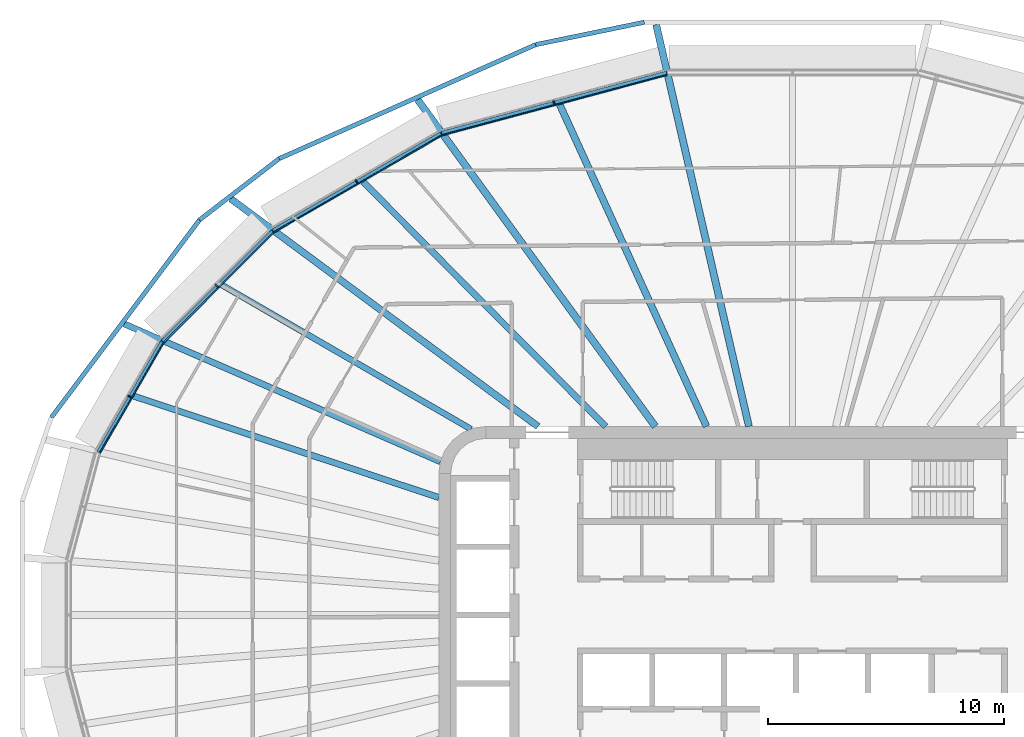
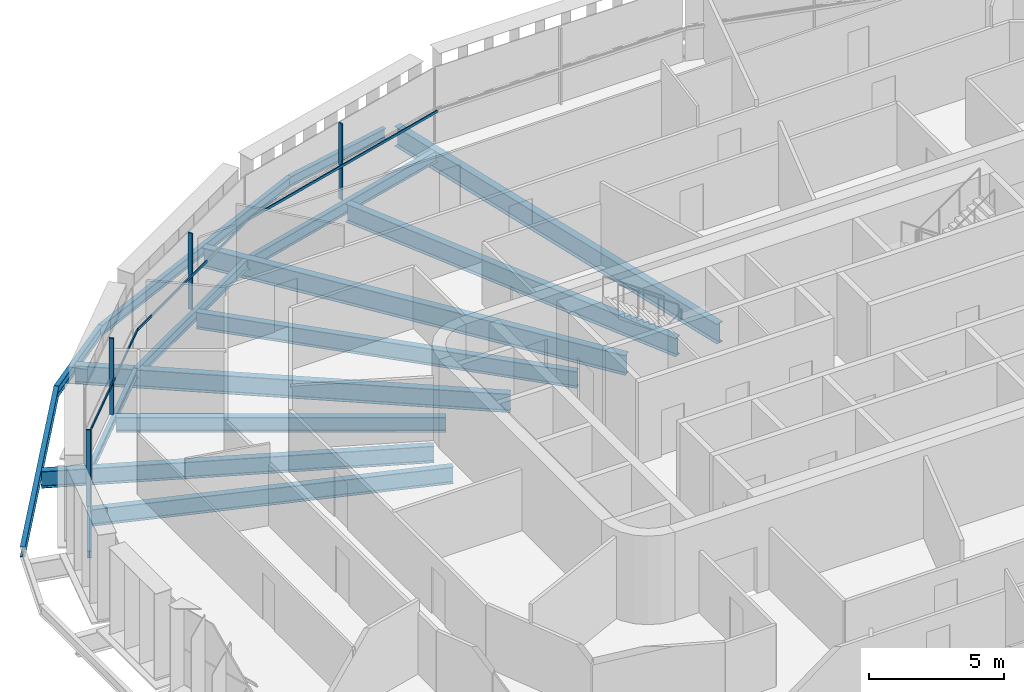
# One storey, part 5 of 21: 16 beams, 8 members, 4 elements without a shape of their own.
"""IFC4 building model written with IfcOpenShell, lengths in metres."""

from ifc_helpers import new_model, si_unit, direction, frame, origin, origin_2d, place, context, subcontext, project, spatial, rectangle, i_section, extrude, material, layer, layer_set, material_profile, profile_set, type_object, element, aggregate, save


model = new_model("IFC4")

# Units and contexts
model_context = context("Model", 3, precision=1e-05, world=origin(), true_north=direction((0.0, 1.0)))
body_context = subcontext(model_context, "Body", "Model", "MODEL_VIEW")
ifc_project = project(units=[si_unit("LENGTHUNIT", "METRE"), si_unit("AREAUNIT", "SQUARE_METRE"), si_unit("VOLUMEUNIT", "CUBIC_METRE"), si_unit("PLANEANGLEUNIT", "RADIAN"), si_unit("MASSUNIT", "GRAM", prefix="KILO")], contexts=[model_context])

# Site, building, storey
site_placement = place(None, origin())
site = spatial("IfcSite", under=ifc_project, at=site_placement, CompositionType="ELEMENT")
building_placement = place(site_placement, origin())
building = spatial("IfcBuilding", under=site, at=building_placement, Name="Sahrelin Media Tower", CompositionType="ELEMENT")
storey_placement = place(building_placement, frame((0.0, 0.0, 193.60009765625)))
storey = spatial("IfcBuildingStorey", under=building, at=storey_placement, Name="L41", CompositionType="ELEMENT", Elevation=193.60009765625)

# Beams
ifc_material_1 = material(Name="Steel S355", Category="steel")
ifc_material_profile_1 = material_profile(ifc_material_1, i_section(OverallWidth=0.1650390625, OverallDepth=0.303466796875, WebThickness=0.006103515625, FlangeThickness=0.01025390625, FilletRadius=0.0087890625, at=origin_2d()), Name="UB 305x165x40")
ifc_profile_set_1 = profile_set([ifc_material_profile_1], Name="Steel S355")
beam_type_1 = type_object("IfcBeamType", Name="Edge beam EB2", PredefinedType="BEAM", material=ifc_profile_set_1)
beam_1_placement = place(storey_placement, frame((-29.43408203125, 6.9072265625, -0.3017578125), z_axis=(0.500016705875, 0.866015758428, 0.0), x_axis=(-0.866015758428, 0.500016705875, 0.0)))
element("IfcBeam", 1, at=beam_1_placement, inside=storey, type_object=beam_type_1, Name="Edge beam L41-15", PredefinedType="BEAM", context=body_context, shape_type="SweptSolid", body=[
    extrude(i_section(OverallWidth=0.1650390625, OverallDepth=0.303466796875, WebThickness=0.006103515625, FlangeThickness=0.01025390625, FilletRadius=0.0087890625, at=origin_2d()), origin(), (0.0, 0.0, 1.0), 5.410400390625),
])
ifc_material_profile_2 = material_profile(ifc_material_1, i_section(OverallWidth=0.17138671875, OverallDepth=0.35498046875, WebThickness=0.00732421875, FlangeThickness=0.011474609375, FilletRadius=0.01025390625, at=origin_2d()), Name="UB 356x171x51")
ifc_profile_set_2 = profile_set([ifc_material_profile_2], Name="Steel S355")
beam_type_2 = type_object("IfcBeamType", Name="Edge beam EB3", PredefinedType="BEAM", material=ifc_profile_set_2)
beam_2_placement = place(storey_placement, frame((-26.711181640625, 11.61572265625, -0.32763671875), z_axis=(0.70708825429, 0.707125307597, 0.0), x_axis=(-0.707125307597, 0.70708825429, 0.0)))
element("IfcBeam", 2, at=beam_2_placement, inside=storey, type_object=beam_type_2, Name="Edge beam L41-16", PredefinedType="BEAM", context=body_context, shape_type="SweptSolid", body=[
    extrude(i_section(OverallWidth=0.17138671875, OverallDepth=0.35498046875, WebThickness=0.00732421875, FlangeThickness=0.011474609375, FilletRadius=0.01025390625, at=origin_2d()), origin(), (0.0, 0.0, 1.0), 6.5888671875),
])
ifc_material_profile_3 = material_profile(ifc_material_1, i_section(OverallWidth=0.1904296875, OverallDepth=0.45703125, WebThickness=0.009033203125, FlangeThickness=0.014404296875, FilletRadius=0.01025390625, at=origin_2d()), Name="UB 457x191x74")
ifc_profile_set_3 = profile_set([ifc_material_profile_3], Name="Steel S355")
beam_type_3 = type_object("IfcBeamType", Name="Edge beam EB5", PredefinedType="BEAM", material=ifc_profile_set_3)
beam_3_placement = place(storey_placement, frame((-22.029296875, 16.292236328125, -0.378662109375), z_axis=(0.8660092336, 0.500028006535, 0.0), x_axis=(-0.500028006535, 0.8660092336, 0.0)))
element("IfcBeam", 3, at=beam_3_placement, inside=storey, type_object=beam_type_3, Name="Edge beam L41-17", PredefinedType="BEAM", context=body_context, shape_type="SweptSolid", body=[
    extrude(i_section(OverallWidth=0.1904296875, OverallDepth=0.45703125, WebThickness=0.009033203125, FlangeThickness=0.014404296875, FilletRadius=0.01025390625, at=origin_2d()), origin(), (0.0, 0.0, 1.0), 8.23046875),
])
ifc_material_profile_4 = material_profile(ifc_material_1, i_section(OverallWidth=0.208740234375, OverallDepth=0.5283203125, WebThickness=0.009521484375, FlangeThickness=0.01318359375, FilletRadius=0.0126953125, at=origin_2d()), Name="UB 533x210x82")
ifc_profile_set_4 = profile_set([ifc_material_profile_4], Name="Steel S355")
beam_type_4 = type_object("IfcBeamType", Name="Edge beam EB6", PredefinedType="BEAM", material=ifc_profile_set_4)
beam_4_placement = place(storey_placement, frame((-14.875, 20.418701171875, -0.414306640625), z_axis=(0.965928634298, 0.258808565244, 0.0), x_axis=(-0.258808565244, 0.965928634298, 0.0)))
element("IfcBeam", 4, at=beam_4_placement, inside=storey, type_object=beam_type_4, Name="Edge beam L41-18", PredefinedType="BEAM", context=body_context, shape_type="SweptSolid", body=[
    extrude(i_section(OverallWidth=0.208740234375, OverallDepth=0.5283203125, WebThickness=0.009521484375, FlangeThickness=0.01318359375, FilletRadius=0.0126953125, at=origin_2d()), origin(), (0.0, 0.0, 1.0), 9.87744140625),
])

# Curtain wall, member
ifc_material_2 = material(Name="Champagne anodised aluminium 6063-T6", Category="aluminium")
ifc_layer = layer(ifc_material_2, 0.14990234375)
ifc_layer_set = layer_set([ifc_layer], Name="Tower ribbon curtain wall")
curtain_wall_type = type_object("IfcCurtainWallType", Name="Tower ribbon curtain wall", PredefinedType="NOTDEFINED", material=ifc_layer_set)
curtain_wall_1_placement = place(storey_placement, frame((-10.143310546875, 21.841796875, 0.0), z_axis=(0.0, 0.0, 1.0), x_axis=(1.0, 0.0, 0.0)))
curtain_wall_1 = element("IfcCurtainWall", 5, at=curtain_wall_1_placement, inside=storey, type_object=curtain_wall_type, Name="L41:CW:L41-07", PredefinedType="NOTDEFINED")
ifc_material_profile_5 = material_profile(ifc_material_2, rectangle(XDim=0.06005859375, YDim=0.175048828125, at=origin_2d()), Name="Mullion 60x175")
ifc_profile_set_5 = profile_set([ifc_material_profile_5], Name="Champagne anodised aluminium 6063-T6")
member_type_1 = type_object("IfcMemberType", Name="Mullion 60x175 CW1B", PredefinedType="MULLION", material=ifc_profile_set_5)
member_1_placement = place(storey_placement, frame((-10.115478515625, 21.73779296875, 0.0), z_axis=(0.0, 0.0, 1.0), x_axis=(-0.965924922834, -0.258822416818, 0.0)))
member_1 = element("IfcMember", 6, at=member_1_placement, type_object=member_type_1, Name="L41:CWM:L41-07", PredefinedType="MULLION", context=body_context, shape_type="SweptSolid", body=[
    extrude(rectangle(XDim=0.06005859375, YDim=0.175048828125, at=origin_2d()), origin(), (0.0, 0.0, 1.0), 3.448486328125),
])

curtain_wall_2_placement = place(storey_placement, frame((-18.540283203125, 18.479736328125, 0.0), z_axis=(0.0, 0.0, 1.0), x_axis=(1.0, 0.0, 0.0)))
curtain_wall_2 = element("IfcCurtainWall", 7, at=curtain_wall_2_placement, inside=storey, type_object=curtain_wall_type, Name="L41:CW:L41-08", PredefinedType="NOTDEFINED")
member_2_placement = place(storey_placement, frame((-18.48681640625, 18.38671875, 0.0), z_axis=(0.0, 0.0, 1.0), x_axis=(-0.86602365845, -0.500003022996, 0.0)))
member_2 = element("IfcMember", 8, at=member_2_placement, type_object=member_type_1, Name="L41:CWM:L41-08", PredefinedType="MULLION", context=body_context, shape_type="SweptSolid", body=[
    extrude(rectangle(XDim=0.06005859375, YDim=0.175048828125, at=origin_2d()), origin(), (0.0, 0.0, 1.0), 3.448486328125),
])

curtain_wall_3_placement = place(storey_placement, frame((-24.48779296875, 14.05126953125, 0.0), z_axis=(0.0, 0.0, 1.0), x_axis=(1.0, 0.0, 0.0)))
curtain_wall_3 = element("IfcCurtainWall", 9, at=curtain_wall_3_placement, inside=storey, type_object=curtain_wall_type, Name="L41:CW:L41-09", PredefinedType="NOTDEFINED")
member_3_placement = place(storey_placement, frame((-24.411865234375, 13.975341796875, 0.0), z_axis=(0.0, 0.0, 1.0), x_axis=(-0.707106781187, -0.707106781187, 0.0)))
member_3 = element("IfcMember", 10, at=member_3_placement, type_object=member_type_1, Name="L41:CWM:L41-09", PredefinedType="MULLION", context=body_context, shape_type="SweptSolid", body=[
    extrude(rectangle(XDim=0.06005859375, YDim=0.175048828125, at=origin_2d()), origin(), (0.0, 0.0, 1.0), 3.448486328125),
])

curtain_wall_4_placement = place(storey_placement, frame((-28.211181640625, 9.324951171875, 0.0), z_axis=(0.0, 0.0, 1.0), x_axis=(1.0, 0.0, 0.0)))
curtain_wall_4 = element("IfcCurtainWall", 11, at=curtain_wall_4_placement, inside=storey, type_object=curtain_wall_type, Name="L41:CW:L41-10", PredefinedType="NOTDEFINED")
member_4_placement = place(storey_placement, frame((-28.118408203125, 9.271240234375, 0.0), z_axis=(0.0, 0.0, 1.0), x_axis=(-0.499996976998, -0.866027149108, 0.0)))
member_4 = element("IfcMember", 12, at=member_4_placement, type_object=member_type_1, Name="L41:CWM:L41-10", PredefinedType="MULLION", context=body_context, shape_type="SweptSolid", body=[
    extrude(rectangle(XDim=0.06005859375, YDim=0.175048828125, at=origin_2d()), origin(), (0.0, 0.0, 1.0), 3.448486328125),
])

# Beams
ifc_material_profile_6 = material_profile(ifc_material_1, i_section(OverallWidth=0.291748046875, OverallDepth=0.8349609375, WebThickness=0.013916015625, FlangeThickness=0.018798828125, FilletRadius=0.017822265625, at=origin_2d()), Name="UB 838x292x176")
ifc_profile_set_6 = profile_set([ifc_material_profile_6], Name="Steel S355")
beam_type_5 = type_object("IfcBeamType", Name="Radial primary beam PB10", PredefinedType="BEAM", material=ifc_profile_set_6)
beam_5_placement = place(storey_placement, frame((-10.793701171875, 8.0, -0.567626953125), z_axis=(-0.803387610254, 0.595456419641, 0.0), x_axis=(-0.595456419641, -0.803387610254, 0.0)))
element("IfcBeam", 13, at=beam_5_placement, inside=storey, type_object=beam_type_5, Name="Radial beam L41-09", PredefinedType="BEAM", context=body_context, shape_type="SweptSolid", body=[
    extrude(i_section(OverallWidth=0.291748046875, OverallDepth=0.8349609375, WebThickness=0.013916015625, FlangeThickness=0.018798828125, FilletRadius=0.017822265625, at=origin_2d()), origin(), (0.0, 0.0, 1.0), 16.22314453125),
])
ifc_material_profile_7 = material_profile(ifc_material_1, i_section(OverallWidth=0.30322265625, OverallDepth=0.903076171875, WebThickness=0.01513671875, FlangeThickness=0.020263671875, FilletRadius=0.01904296875, at=origin_2d()), Name="UB 914x305x201")
ifc_profile_set_7 = profile_set([ifc_material_profile_7], Name="Steel S355")
beam_type_6 = type_object("IfcBeamType", Name="Radial primary beam PB11", PredefinedType="BEAM", material=ifc_profile_set_7)
beam_6_placement = place(storey_placement, frame((-1.846923828125, 8.0, -0.6015625), z_axis=(-0.224943059237, 0.974371910567, 0.0), x_axis=(-0.974371910567, -0.224943059237, 0.0)))
element("IfcBeam", 14, at=beam_6_placement, inside=storey, type_object=beam_type_6, Name="Radial beam L41-07", PredefinedType="BEAM", context=body_context, shape_type="SweptSolid", body=[
    extrude(i_section(OverallWidth=0.30322265625, OverallDepth=0.903076171875, WebThickness=0.01513671875, FlangeThickness=0.020263671875, FilletRadius=0.01904296875, at=origin_2d()), origin(), (0.0, 0.0, 1.0), 17.4990234375),
])
beam_7_placement = place(storey_placement, frame((-5.8173828125, 8.0, -0.6015625), z_axis=(-0.58812766709, 0.808768104714, 0.0), x_axis=(-0.808768104714, -0.58812766709, 0.0)))
element("IfcBeam", 15, at=beam_7_placement, inside=storey, type_object=beam_type_6, Name="Radial beam L41-08", PredefinedType="BEAM", context=body_context, shape_type="SweptSolid", body=[
    extrude(i_section(OverallWidth=0.30322265625, OverallDepth=0.903076171875, WebThickness=0.01513671875, FlangeThickness=0.020263671875, FilletRadius=0.01904296875, at=origin_2d()), origin(), (0.0, 0.0, 1.0), 17.144287109375),
])
ifc_material_profile_8 = material_profile(ifc_material_1, i_section(OverallWidth=0.26513671875, OverallDepth=0.75390625, WebThickness=0.0126953125, FlangeThickness=0.017578125, FilletRadius=0.0166015625, at=origin_2d()), Name="UB 762x267x147")
ifc_profile_set_8 = profile_set([ifc_material_profile_8], Name="Steel S355")
beam_type_7 = type_object("IfcBeamType", Name="Radial primary beam PB9", PredefinedType="BEAM", material=ifc_profile_set_8)
beam_8_placement = place(storey_placement, frame((-14.93310546875, 6.5078125, -0.527099609375), z_axis=(-0.916731081727, 0.399504848275, 0.0), x_axis=(-0.399504848275, -0.916731081727, 0.0)))
element("IfcBeam", 16, at=beam_8_placement, inside=storey, type_object=beam_type_7, Name="Radial beam L41-10", PredefinedType="BEAM", context=body_context, shape_type="SweptSolid", body=[
    extrude(i_section(OverallWidth=0.26513671875, OverallDepth=0.75390625, WebThickness=0.0126953125, FlangeThickness=0.017578125, FilletRadius=0.0166015625, at=origin_2d()), origin(), (0.0, 0.0, 1.0), 14.625),
])
ifc_material_profile_9 = material_profile(ifc_material_1, i_section(OverallWidth=0.291748046875, OverallDepth=0.8349609375, WebThickness=0.013916015625, FlangeThickness=0.018798828125, FilletRadius=0.017822265625, at=origin_2d()), Name="UB 838x292x176")
ifc_profile_set_9 = profile_set([ifc_material_profile_9], Name="Steel S355")
beam_type_8 = type_object("IfcBeamType", Name="Radial secondary beam SB10", PredefinedType="BEAM", material=ifc_profile_set_9)
beam_9_placement = place(storey_placement, frame((-3.647705078125, 8.0, -0.567626953125), z_axis=(-0.414888908569, 0.909872075374, 0.0), x_axis=(-0.909872075374, -0.414888908569, 0.0)))
element("IfcBeam", 17, at=beam_9_placement, inside=storey, type_object=beam_type_8, Name="Secondary beam L41-07", PredefinedType="BEAM", context=body_context, shape_type="SweptSolid", body=[
    extrude(i_section(OverallWidth=0.291748046875, OverallDepth=0.8349609375, WebThickness=0.013916015625, FlangeThickness=0.018798828125, FilletRadius=0.017822265625, at=origin_2d()), origin(), (0.0, 0.0, 1.0), 15.003173828125),
])
ifc_material_profile_10 = material_profile(ifc_material_1, i_section(OverallWidth=0.2529296875, OverallDepth=0.677978515625, WebThickness=0.01171875, FlangeThickness=0.01611328125, FilletRadius=0.01513671875, at=origin_2d()), Name="UB 686x254x125")
ifc_profile_set_10 = profile_set([ifc_material_profile_10], Name="Steel S355")
beam_type_9 = type_object("IfcBeamType", Name="Radial secondary beam SB8", PredefinedType="BEAM", material=ifc_profile_set_10)
beam_10_placement = place(storey_placement, frame((-13.63134765625, 7.884765625, -0.489013671875), z_axis=(-0.865627368976, 0.500688783658, 0.0), x_axis=(-0.500688783658, -0.865627368976, 0.0)))
element("IfcBeam", 18, at=beam_10_placement, inside=storey, type_object=beam_type_9, Name="Secondary beam L41-09", PredefinedType="BEAM", context=body_context, shape_type="SweptSolid", body=[
    extrude(i_section(OverallWidth=0.2529296875, OverallDepth=0.677978515625, WebThickness=0.01171875, FlangeThickness=0.01611328125, FilletRadius=0.01513671875, at=origin_2d()), origin(), (0.0, 0.0, 1.0), 12.215087890625),
])
ifc_material_profile_11 = material_profile(ifc_material_1, i_section(OverallWidth=0.26513671875, OverallDepth=0.75390625, WebThickness=0.0126953125, FlangeThickness=0.017578125, FilletRadius=0.0166015625, at=origin_2d()), Name="UB 762x267x147")
ifc_profile_set_11 = profile_set([ifc_material_profile_11], Name="Steel S355")
beam_type_10 = type_object("IfcBeamType", Name="Radial secondary beam SB9", PredefinedType="BEAM", material=ifc_profile_set_11)
beam_11_placement = place(storey_placement, frame((-7.927490234375, 8.0, -0.527099609375), z_axis=(-0.70389286124, 0.710306159269, 0.0), x_axis=(-0.710306159269, -0.70389286124, 0.0)))
element("IfcBeam", 19, at=beam_11_placement, inside=storey, type_object=beam_type_10, Name="Secondary beam L41-08", PredefinedType="BEAM", context=body_context, shape_type="SweptSolid", body=[
    extrude(i_section(OverallWidth=0.26513671875, OverallDepth=0.75390625, WebThickness=0.0126953125, FlangeThickness=0.017578125, FilletRadius=0.0166015625, at=origin_2d()), origin(), (0.0, 0.0, 1.0), 14.6181640625),
])
beam_12_placement = place(storey_placement, frame((-15.0, 4.986083984375, -0.527099609375), z_axis=(-0.948949304443, 0.315428625204, 0.0), x_axis=(-0.315428625204, -0.948949304443, 0.0)))
element("IfcBeam", 20, at=beam_12_placement, inside=storey, type_object=beam_type_10, Name="Secondary beam L41-10", PredefinedType="BEAM", context=body_context, shape_type="SweptSolid", body=[
    extrude(i_section(OverallWidth=0.26513671875, OverallDepth=0.75390625, WebThickness=0.0126953125, FlangeThickness=0.017578125, FilletRadius=0.0166015625, at=origin_2d()), origin(), (0.0, 0.0, 1.0), 13.657958984375),
])
ifc_material_profile_12 = material_profile(ifc_material_1, i_section(OverallWidth=0.1904296875, OverallDepth=0.45703125, WebThickness=0.009033203125, FlangeThickness=0.014404296875, FilletRadius=0.01025390625, at=origin_2d()), Name="UB 457x191x74")
ifc_profile_set_12 = profile_set([ifc_material_profile_12], Name="Steel S355")
beam_type_11 = type_object("IfcBeamType", Name="Tie chord TC5", PredefinedType="BEAM", material=ifc_profile_set_12)
beam_13_placement = place(storey_placement, frame((-6.283935546875, 25.145751953125, -0.378662109375), z_axis=(-0.979389778149, -0.201979361463, 0.0), x_axis=(0.201979361463, -0.979389778149, 0.0)))
element("IfcBeam", 21, at=beam_13_placement, inside=storey, type_object=beam_type_11, Name="Tie chord L41-07", PredefinedType="BEAM", context=body_context, shape_type="SweptSolid", body=[
    extrude(i_section(OverallWidth=0.1904296875, OverallDepth=0.45703125, WebThickness=0.009033203125, FlangeThickness=0.014404296875, FilletRadius=0.01025390625, at=origin_2d()), origin(), (0.0, 0.0, 1.0), 4.70556640625),
])
beam_14_placement = place(storey_placement, frame((-10.892578125, 24.1953125, -0.378662109375), z_axis=(-0.913828453148, -0.406100428733, 0.0), x_axis=(0.406100428733, -0.913828453148, 0.0)))
element("IfcBeam", 22, at=beam_14_placement, inside=storey, type_object=beam_type_11, Name="Tie chord L41-08", PredefinedType="BEAM", context=body_context, shape_type="SweptSolid", body=[
    extrude(i_section(OverallWidth=0.1904296875, OverallDepth=0.45703125, WebThickness=0.009033203125, FlangeThickness=0.014404296875, FilletRadius=0.01025390625, at=origin_2d()), origin(), (0.0, 0.0, 1.0), 11.91064453125),
])
beam_15_placement = place(storey_placement, frame((-21.77685546875, 19.3583984375, -0.378662109375), z_axis=(-0.792457678951, -0.609926903056, 0.0), x_axis=(0.609926903056, -0.792457678951, 0.0)))
element("IfcBeam", 23, at=beam_15_placement, inside=storey, type_object=beam_type_11, Name="Tie chord L41-09", PredefinedType="BEAM", context=body_context, shape_type="SweptSolid", body=[
    extrude(i_section(OverallWidth=0.1904296875, OverallDepth=0.45703125, WebThickness=0.009033203125, FlangeThickness=0.014404296875, FilletRadius=0.01025390625, at=origin_2d()), origin(), (0.0, 0.0, 1.0), 4.25732421875),
])
beam_16_placement = place(storey_placement, frame((-25.150634765625, 16.76171875, -0.378662109375), z_axis=(-0.600055947805, -0.799958036089, 0.0), x_axis=(0.799958036089, -0.600055947805, 0.0)))
element("IfcBeam", 24, at=beam_16_placement, inside=storey, type_object=beam_type_11, Name="Tie chord L41-10", PredefinedType="BEAM", context=body_context, shape_type="SweptSolid", body=[
    extrude(i_section(OverallWidth=0.1904296875, OverallDepth=0.45703125, WebThickness=0.009033203125, FlangeThickness=0.014404296875, FilletRadius=0.01025390625, at=origin_2d()), origin(), (0.0, 0.0, 1.0), 10.47265625),
])

# Member
ifc_material_profile_13 = material_profile(ifc_material_2, rectangle(XDim=0.050048828125, YDim=0.110107421875, at=origin_2d()), Name="Transom 50x110")
ifc_profile_set_13 = profile_set([ifc_material_profile_13], Name="Champagne anodised aluminium 6063-T6")
member_type_2 = type_object("IfcMemberType", Name="Transom 50x110 CW1B", PredefinedType="USERDEFINED", material=ifc_profile_set_13)
member_5_placement = place(storey_placement, frame((-5.3310546875, 22.903564453125, 1.599853515625), z_axis=(-0.965921045244, -0.258836887547, 0.0), x_axis=(0.258836887547, -0.965921045244, 0.0)))
member_5 = element("IfcMember", 25, at=member_5_placement, type_object=member_type_2, Name="L41:CWT:L41-07", ObjectType="TRANSOM", PredefinedType="USERDEFINED", context=body_context, shape_type="SweptSolid", body=[
    extrude(rectangle(XDim=0.050048828125, YDim=0.110107421875, at=origin_2d()), origin(), (0.0, 0.0, 1.0), 9.84619140625),
])

aggregate(curtain_wall_1, [member_1, member_5])

member_6_placement = place(storey_placement, frame((-14.880126953125, 20.339111328125, 1.599853515625), z_axis=(-0.866020958405, -0.500007699544, 0.0), x_axis=(0.500007699544, -0.866020958405, 0.0)))
member_6 = element("IfcMember", 26, at=member_6_placement, type_object=member_type_2, Name="L41:CWT:L41-08", ObjectType="TRANSOM", PredefinedType="USERDEFINED", context=body_context, shape_type="SweptSolid", body=[
    extrude(rectangle(XDim=0.050048828125, YDim=0.110107421875, at=origin_2d()), origin(), (0.0, 0.0, 1.0), 8.198974609375),
])

aggregate(curtain_wall_2, [member_2, member_6])

member_7_placement = place(storey_placement, frame((-22.013916015625, 16.214111328125, 1.599853515625), z_axis=(-0.707106781187, -0.707106781187, 0.0), x_axis=(0.707106781187, -0.707106781187, 0.0)))
member_7 = element("IfcMember", 27, at=member_7_placement, type_object=member_type_2, Name="L41:CWT:L41-09", ObjectType="TRANSOM", PredefinedType="USERDEFINED", context=body_context, shape_type="SweptSolid", body=[
    extrude(rectangle(XDim=0.050048828125, YDim=0.110107421875, at=origin_2d()), origin(), (0.0, 0.0, 1.0), 6.557373046875),
])

aggregate(curtain_wall_3, [member_3, member_7])

member_8_placement = place(storey_placement, frame((-26.676025390625, 11.544189453125, 1.599853515625), z_axis=(-0.499985686398, -0.866033667589, 0.0), x_axis=(0.866033667589, -0.499985686398, 0.0)))
member_8 = element("IfcMember", 28, at=member_8_placement, type_object=member_type_2, Name="L41:CWT:L41-10", ObjectType="TRANSOM", PredefinedType="USERDEFINED", context=body_context, shape_type="SweptSolid", body=[
    extrude(rectangle(XDim=0.050048828125, YDim=0.110107421875, at=origin_2d()), origin(), (0.0, 0.0, 1.0), 5.379150390625),
])

aggregate(curtain_wall_4, [member_4, member_8])

save(model, "model.ifc")
